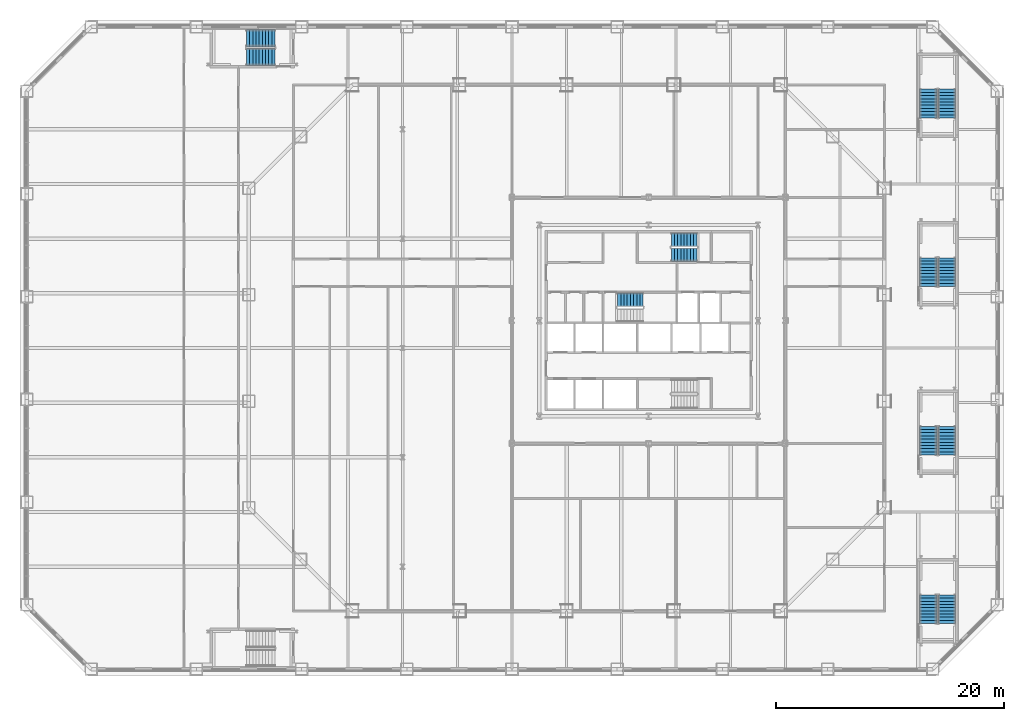
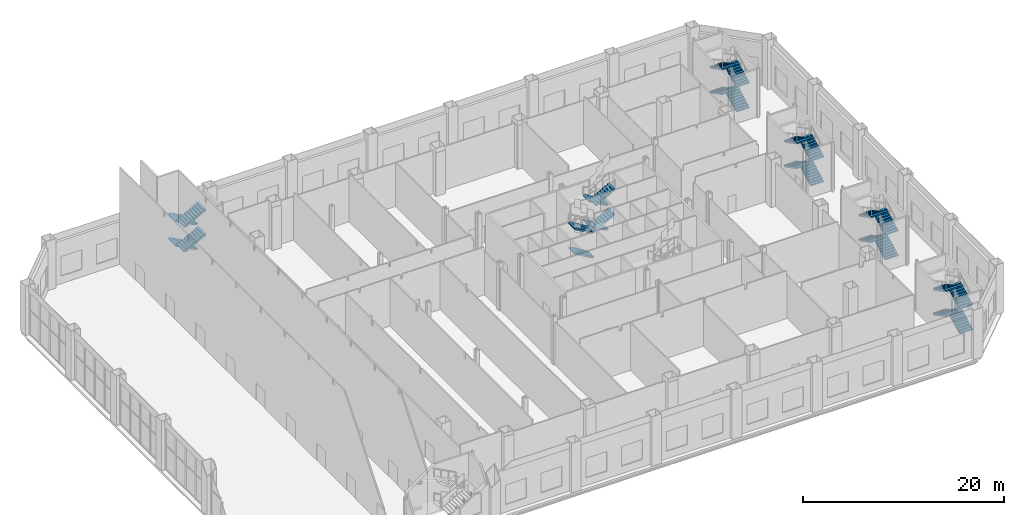
# One storey, part 24 of 31: 26 stair flights, 7 elements without a shape of their own.
"""IFC4 building model written with IfcOpenShell, lengths in metres."""

from ifc_helpers import new_model, si_unit, direction, frame, origin, place, context, subcontext, project, spatial, polyline, outline, extrude, material, type_object, element, aggregate, save


model = new_model("IFC4")

# Units and contexts
model_context = context("Model", 3, precision=1e-05, world=origin(), true_north=direction((0.0, 1.0)))
body_context = subcontext(model_context, "Body", "Model", "MODEL_VIEW")
ifc_project = project(units=[si_unit("LENGTHUNIT", "METRE"), si_unit("AREAUNIT", "SQUARE_METRE"), si_unit("VOLUMEUNIT", "CUBIC_METRE"), si_unit("PLANEANGLEUNIT", "RADIAN"), si_unit("MASSUNIT", "GRAM", prefix="KILO")], contexts=[model_context])

# Site, building, storey
site_placement = place(None, origin())
site = spatial("IfcSite", under=ifc_project, at=site_placement, CompositionType="ELEMENT")
building_placement = place(site_placement, origin())
building = spatial("IfcBuilding", under=site, at=building_placement, Name="Cairn Pilgrim Tower", CompositionType="ELEMENT")
storey_placement = place(building_placement, frame((0.0, 0.0, 9.0)))
storey = spatial("IfcBuildingStorey", under=building, at=storey_placement, Name="L01", CompositionType="ELEMENT", Elevation=9.0)

# Stair, stair flights
ifc_material_1 = material(Name="Concrete C35/45", Category="concrete")
stair_type_1 = type_object("IfcStairType", Name="PODIUM EXIT STAIR 1500", PredefinedType="HALF_TURN_STAIR", material=ifc_material_1)
stair_1_placement = place(storey_placement, origin())
stair_1 = element("IfcStair", 1, at=stair_1_placement, inside=storey, type_object=stair_type_1, Name="L01 Exit Stair Hn", PredefinedType="HALF_TURN_STAIR")
stair_flight_type_1 = type_object("IfcStairFlightType", Name="PODIUM STAIR FLIGHT 1500", PredefinedType="STRAIGHT", material=ifc_material_1)
stair_flight_1_placement = place(storey_placement, frame((-25.60009765625, 27.199951171875, 0.0), z_axis=(0.0, 0.0, 1.0), x_axis=(-1.0, 0.0, 0.0)))
stair_flight_1 = element("IfcStairFlight", 2, at=stair_flight_1_placement, type_object=stair_flight_type_1, Name="ST-HN flight 1", NumberOfRisers=10, NumberOfTreads=9, PredefinedType="STRAIGHT", RiserHeight=0.15, TreadLength=0.28, context=body_context, shape_type="SweptSolid", body=[
    extrude(outline(polyline([(0.0, 0.0), (0.0, 0.14990234375), (0.280029296875, 0.14990234375), (0.280029296875, 0.300048828125), (0.56005859375, 0.300048828125), (0.56005859375, 0.449951171875), (0.840087890625, 0.449951171875), (0.840087890625, 0.60009765625), (1.1201171875, 0.60009765625), (1.1201171875, 0.75), (1.39990234375, 0.75), (1.39990234375, 0.89990234375), (1.679931640625, 0.89990234375), (1.679931640625, 1.050048828125), (1.9599609375, 1.050048828125), (1.9599609375, 1.199951171875), (2.239990234375, 1.199951171875), (2.239990234375, 1.35009765625), (2.52001953125, 1.35009765625), (2.52001953125, 1.5), (2.52001953125, 1.179931640625), (0.3173828125, 0.0), (0.0, 0.0)])), frame((0.0, 0.75, 0.0), z_axis=(0.0, -1.0, 0.0), x_axis=(1.0, 0.0, 0.0)), (0.0, 0.0, 1.0), 1.5),
])
stair_flight_2_placement = place(storey_placement, frame((-28.1201171875, 25.550048828125, 1.5), z_axis=(0.0, 0.0, 1.0), x_axis=(1.0, 0.0, 0.0)))
stair_flight_2 = element("IfcStairFlight", 3, at=stair_flight_2_placement, type_object=stair_flight_type_1, Name="ST-HN flight 2", NumberOfRisers=10, NumberOfTreads=9, PredefinedType="STRAIGHT", RiserHeight=0.15, TreadLength=0.28, context=body_context, shape_type="SweptSolid", body=[
    extrude(outline(polyline([(0.0, 0.0), (0.0, 0.14990234375), (0.280029296875, 0.14990234375), (0.280029296875, 0.300048828125), (0.56005859375, 0.300048828125), (0.56005859375, 0.449951171875), (0.840087890625, 0.449951171875), (0.840087890625, 0.60009765625), (1.1201171875, 0.60009765625), (1.1201171875, 0.75), (1.39990234375, 0.75), (1.39990234375, 0.89990234375), (1.679931640625, 0.89990234375), (1.679931640625, 1.050048828125), (1.9599609375, 1.050048828125), (1.9599609375, 1.199951171875), (2.239990234375, 1.199951171875), (2.239990234375, 1.35009765625), (2.52001953125, 1.35009765625), (2.52001953125, 1.5), (2.52001953125, 1.179931640625), (0.3173828125, 0.0), (0.0, 0.0)])), frame((0.0, 0.75, 0.0), z_axis=(0.0, -1.0, 0.0), x_axis=(1.0, 0.0, 0.0)), (0.0, 0.0, 1.0), 1.5),
])
stair_flight_3_placement = place(storey_placement, frame((-25.60009765625, 27.199951171875, 3.0), z_axis=(0.0, 0.0, 1.0), x_axis=(-1.0, 0.0, 0.0)))
stair_flight_3 = element("IfcStairFlight", 4, at=stair_flight_3_placement, type_object=stair_flight_type_1, Name="ST-HN flight 3", NumberOfRisers=10, NumberOfTreads=9, PredefinedType="STRAIGHT", RiserHeight=0.15, TreadLength=0.28, context=body_context, shape_type="SweptSolid", body=[
    extrude(outline(polyline([(0.0, 0.0), (0.0, 0.14990234375), (0.280029296875, 0.14990234375), (0.280029296875, 0.300048828125), (0.56005859375, 0.300048828125), (0.56005859375, 0.449951171875), (0.840087890625, 0.449951171875), (0.840087890625, 0.60009765625), (1.1201171875, 0.60009765625), (1.1201171875, 0.75), (1.39990234375, 0.75), (1.39990234375, 0.89990234375), (1.679931640625, 0.89990234375), (1.679931640625, 1.050048828125), (1.9599609375, 1.050048828125), (1.9599609375, 1.199951171875), (2.239990234375, 1.199951171875), (2.239990234375, 1.35009765625), (2.52001953125, 1.35009765625), (2.52001953125, 1.5), (2.52001953125, 1.179931640625), (0.3173828125, 0.0), (0.0, 0.0)])), frame((0.0, 0.75, 0.0), z_axis=(0.0, -1.0, 0.0), x_axis=(1.0, 0.0, 0.0)), (0.0, 0.0, 1.0), 1.5),
])
stair_flight_4_placement = place(storey_placement, frame((-28.1201171875, 25.550048828125, 4.5), z_axis=(0.0, 0.0, 1.0), x_axis=(1.0, 0.0, 0.0)))
stair_flight_4 = element("IfcStairFlight", 5, at=stair_flight_4_placement, type_object=stair_flight_type_1, Name="ST-HN flight 4", NumberOfRisers=10, NumberOfTreads=9, PredefinedType="STRAIGHT", RiserHeight=0.15, TreadLength=0.28, context=body_context, shape_type="SweptSolid", body=[
    extrude(outline(polyline([(0.0, 0.0), (0.0, 0.14990234375), (0.280029296875, 0.14990234375), (0.280029296875, 0.300048828125), (0.56005859375, 0.300048828125), (0.56005859375, 0.449951171875), (0.840087890625, 0.449951171875), (0.840087890625, 0.60009765625), (1.1201171875, 0.60009765625), (1.1201171875, 0.75), (1.39990234375, 0.75), (1.39990234375, 0.89990234375), (1.679931640625, 0.89990234375), (1.679931640625, 1.050048828125), (1.9599609375, 1.050048828125), (1.9599609375, 1.199951171875), (2.239990234375, 1.199951171875), (2.239990234375, 1.35009765625), (2.52001953125, 1.35009765625), (2.52001953125, 1.5), (2.52001953125, 1.179931640625), (0.3173828125, 0.0), (0.0, 0.0)])), frame((0.0, 0.75, 0.0), z_axis=(0.0, -1.0, 0.0), x_axis=(1.0, 0.0, 0.0)), (0.0, 0.0, 1.0), 1.5),
])
aggregate(stair_1, [stair_flight_1, stair_flight_2, stair_flight_3, stair_flight_4])

stair_2_placement = place(storey_placement, origin())
stair_2 = element("IfcStair", 6, at=stair_2_placement, inside=storey, type_object=stair_type_1, Name="L01 Exit Stair Es1", PredefinedType="HALF_TURN_STAIR")
stair_flight_5_placement = place(storey_placement, frame((33.39990234375, -24.199951171875, 0.0), z_axis=(0.0, 0.0, 1.0), x_axis=(0.0, 1.0, 0.0)))
stair_flight_5 = element("IfcStairFlight", 7, at=stair_flight_5_placement, type_object=stair_flight_type_1, Name="ST-ES1 flight 1", NumberOfRisers=10, NumberOfTreads=9, PredefinedType="STRAIGHT", RiserHeight=0.15, TreadLength=0.28, context=body_context, shape_type="SweptSolid", body=[
    extrude(outline(polyline([(0.0, 0.0), (0.0, 0.14990234375), (0.280029296875, 0.14990234375), (0.280029296875, 0.300048828125), (0.56005859375, 0.300048828125), (0.56005859375, 0.449951171875), (0.840087890625, 0.449951171875), (0.840087890625, 0.60009765625), (1.1201171875, 0.60009765625), (1.1201171875, 0.75), (1.39990234375, 0.75), (1.39990234375, 0.89990234375), (1.679931640625, 0.89990234375), (1.679931640625, 1.050048828125), (1.9599609375, 1.050048828125), (1.9599609375, 1.199951171875), (2.239990234375, 1.199951171875), (2.239990234375, 1.35009765625), (2.52001953125, 1.35009765625), (2.52001953125, 1.5), (2.52001953125, 1.179931640625), (0.3173828125, 0.0), (0.0, 0.0)])), frame((0.0, 0.75, 0.0), z_axis=(0.0, -1.0, 0.0), x_axis=(1.0, 0.0, 0.0)), (0.0, 0.0, 1.0), 1.5),
])
stair_flight_6_placement = place(storey_placement, frame((31.75, -21.679931640625, 1.5), z_axis=(0.0, 0.0, 1.0), x_axis=(0.0, -1.0, 0.0)))
stair_flight_6 = element("IfcStairFlight", 8, at=stair_flight_6_placement, type_object=stair_flight_type_1, Name="ST-ES1 flight 2", NumberOfRisers=10, NumberOfTreads=9, PredefinedType="STRAIGHT", RiserHeight=0.15, TreadLength=0.28, context=body_context, shape_type="SweptSolid", body=[
    extrude(outline(polyline([(0.0, 0.0), (0.0, 0.14990234375), (0.280029296875, 0.14990234375), (0.280029296875, 0.300048828125), (0.56005859375, 0.300048828125), (0.56005859375, 0.449951171875), (0.840087890625, 0.449951171875), (0.840087890625, 0.60009765625), (1.1201171875, 0.60009765625), (1.1201171875, 0.75), (1.39990234375, 0.75), (1.39990234375, 0.89990234375), (1.679931640625, 0.89990234375), (1.679931640625, 1.050048828125), (1.9599609375, 1.050048828125), (1.9599609375, 1.199951171875), (2.239990234375, 1.199951171875), (2.239990234375, 1.35009765625), (2.52001953125, 1.35009765625), (2.52001953125, 1.5), (2.52001953125, 1.179931640625), (0.3173828125, 0.0), (0.0, 0.0)])), frame((0.0, 0.75, 0.0), z_axis=(0.0, -1.0, 0.0), x_axis=(1.0, 0.0, 0.0)), (0.0, 0.0, 1.0), 1.5),
])
stair_flight_7_placement = place(storey_placement, frame((33.39990234375, -24.199951171875, 3.0), z_axis=(0.0, 0.0, 1.0), x_axis=(0.0, 1.0, 0.0)))
stair_flight_7 = element("IfcStairFlight", 9, at=stair_flight_7_placement, type_object=stair_flight_type_1, Name="ST-ES1 flight 3", NumberOfRisers=10, NumberOfTreads=9, PredefinedType="STRAIGHT", RiserHeight=0.15, TreadLength=0.28, context=body_context, shape_type="SweptSolid", body=[
    extrude(outline(polyline([(0.0, 0.0), (0.0, 0.14990234375), (0.280029296875, 0.14990234375), (0.280029296875, 0.300048828125), (0.56005859375, 0.300048828125), (0.56005859375, 0.449951171875), (0.840087890625, 0.449951171875), (0.840087890625, 0.60009765625), (1.1201171875, 0.60009765625), (1.1201171875, 0.75), (1.39990234375, 0.75), (1.39990234375, 0.89990234375), (1.679931640625, 0.89990234375), (1.679931640625, 1.050048828125), (1.9599609375, 1.050048828125), (1.9599609375, 1.199951171875), (2.239990234375, 1.199951171875), (2.239990234375, 1.35009765625), (2.52001953125, 1.35009765625), (2.52001953125, 1.5), (2.52001953125, 1.179931640625), (0.3173828125, 0.0), (0.0, 0.0)])), frame((0.0, 0.75, 0.0), z_axis=(0.0, -1.0, 0.0), x_axis=(1.0, 0.0, 0.0)), (0.0, 0.0, 1.0), 1.5),
])
stair_flight_8_placement = place(storey_placement, frame((31.75, -21.679931640625, 4.5), z_axis=(0.0, 0.0, 1.0), x_axis=(0.0, -1.0, 0.0)))
stair_flight_8 = element("IfcStairFlight", 10, at=stair_flight_8_placement, type_object=stair_flight_type_1, Name="ST-ES1 flight 4", NumberOfRisers=10, NumberOfTreads=9, PredefinedType="STRAIGHT", RiserHeight=0.15, TreadLength=0.28, context=body_context, shape_type="SweptSolid", body=[
    extrude(outline(polyline([(0.0, 0.0), (0.0, 0.14990234375), (0.280029296875, 0.14990234375), (0.280029296875, 0.300048828125), (0.56005859375, 0.300048828125), (0.56005859375, 0.449951171875), (0.840087890625, 0.449951171875), (0.840087890625, 0.60009765625), (1.1201171875, 0.60009765625), (1.1201171875, 0.75), (1.39990234375, 0.75), (1.39990234375, 0.89990234375), (1.679931640625, 0.89990234375), (1.679931640625, 1.050048828125), (1.9599609375, 1.050048828125), (1.9599609375, 1.199951171875), (2.239990234375, 1.199951171875), (2.239990234375, 1.35009765625), (2.52001953125, 1.35009765625), (2.52001953125, 1.5), (2.52001953125, 1.179931640625), (0.3173828125, 0.0), (0.0, 0.0)])), frame((0.0, 0.75, 0.0), z_axis=(0.0, -1.0, 0.0), x_axis=(1.0, 0.0, 0.0)), (0.0, 0.0, 1.0), 1.5),
])
aggregate(stair_2, [stair_flight_5, stair_flight_6, stair_flight_7, stair_flight_8])

stair_3_placement = place(storey_placement, origin())
stair_3 = element("IfcStair", 11, at=stair_3_placement, inside=storey, type_object=stair_type_1, Name="L01 Exit Stair Es2", PredefinedType="HALF_TURN_STAIR")
stair_flight_9_placement = place(storey_placement, frame((33.39990234375, -9.39990234375, 0.0), z_axis=(0.0, 0.0, 1.0), x_axis=(0.0, 1.0, 0.0)))
stair_flight_9 = element("IfcStairFlight", 12, at=stair_flight_9_placement, type_object=stair_flight_type_1, Name="ST-ES2 flight 1", NumberOfRisers=10, NumberOfTreads=9, PredefinedType="STRAIGHT", RiserHeight=0.15, TreadLength=0.28, context=body_context, shape_type="SweptSolid", body=[
    extrude(outline(polyline([(0.0, 0.0), (0.0, 0.14990234375), (0.280029296875, 0.14990234375), (0.280029296875, 0.300048828125), (0.56005859375, 0.300048828125), (0.56005859375, 0.449951171875), (0.840087890625, 0.449951171875), (0.840087890625, 0.60009765625), (1.1201171875, 0.60009765625), (1.1201171875, 0.75), (1.39990234375, 0.75), (1.39990234375, 0.89990234375), (1.679931640625, 0.89990234375), (1.679931640625, 1.050048828125), (1.9599609375, 1.050048828125), (1.9599609375, 1.199951171875), (2.239990234375, 1.199951171875), (2.239990234375, 1.35009765625), (2.52001953125, 1.35009765625), (2.52001953125, 1.5), (2.52001953125, 1.179931640625), (0.3173828125, 0.0), (0.0, 0.0)])), frame((0.0, 0.75, 0.0), z_axis=(0.0, -1.0, 0.0), x_axis=(1.0, 0.0, 0.0)), (0.0, 0.0, 1.0), 1.5),
])
stair_flight_10_placement = place(storey_placement, frame((31.75, -6.8798828125, 1.5), z_axis=(0.0, 0.0, 1.0), x_axis=(0.0, -1.0, 0.0)))
stair_flight_10 = element("IfcStairFlight", 13, at=stair_flight_10_placement, type_object=stair_flight_type_1, Name="ST-ES2 flight 2", NumberOfRisers=10, NumberOfTreads=9, PredefinedType="STRAIGHT", RiserHeight=0.15, TreadLength=0.28, context=body_context, shape_type="SweptSolid", body=[
    extrude(outline(polyline([(0.0, 0.0), (0.0, 0.14990234375), (0.280029296875, 0.14990234375), (0.280029296875, 0.300048828125), (0.56005859375, 0.300048828125), (0.56005859375, 0.449951171875), (0.840087890625, 0.449951171875), (0.840087890625, 0.60009765625), (1.1201171875, 0.60009765625), (1.1201171875, 0.75), (1.39990234375, 0.75), (1.39990234375, 0.89990234375), (1.679931640625, 0.89990234375), (1.679931640625, 1.050048828125), (1.9599609375, 1.050048828125), (1.9599609375, 1.199951171875), (2.239990234375, 1.199951171875), (2.239990234375, 1.35009765625), (2.52001953125, 1.35009765625), (2.52001953125, 1.5), (2.52001953125, 1.179931640625), (0.3173828125, 0.0), (0.0, 0.0)])), frame((0.0, 0.75, 0.0), z_axis=(0.0, -1.0, 0.0), x_axis=(1.0, 0.0, 0.0)), (0.0, 0.0, 1.0), 1.5),
])
stair_flight_11_placement = place(storey_placement, frame((33.39990234375, -9.39990234375, 3.0), z_axis=(0.0, 0.0, 1.0), x_axis=(0.0, 1.0, 0.0)))
stair_flight_11 = element("IfcStairFlight", 14, at=stair_flight_11_placement, type_object=stair_flight_type_1, Name="ST-ES2 flight 3", NumberOfRisers=10, NumberOfTreads=9, PredefinedType="STRAIGHT", RiserHeight=0.15, TreadLength=0.28, context=body_context, shape_type="SweptSolid", body=[
    extrude(outline(polyline([(0.0, 0.0), (0.0, 0.14990234375), (0.280029296875, 0.14990234375), (0.280029296875, 0.300048828125), (0.56005859375, 0.300048828125), (0.56005859375, 0.449951171875), (0.840087890625, 0.449951171875), (0.840087890625, 0.60009765625), (1.1201171875, 0.60009765625), (1.1201171875, 0.75), (1.39990234375, 0.75), (1.39990234375, 0.89990234375), (1.679931640625, 0.89990234375), (1.679931640625, 1.050048828125), (1.9599609375, 1.050048828125), (1.9599609375, 1.199951171875), (2.239990234375, 1.199951171875), (2.239990234375, 1.35009765625), (2.52001953125, 1.35009765625), (2.52001953125, 1.5), (2.52001953125, 1.179931640625), (0.3173828125, 0.0), (0.0, 0.0)])), frame((0.0, 0.75, 0.0), z_axis=(0.0, -1.0, 0.0), x_axis=(1.0, 0.0, 0.0)), (0.0, 0.0, 1.0), 1.5),
])
stair_flight_12_placement = place(storey_placement, frame((31.75, -6.8798828125, 4.5), z_axis=(0.0, 0.0, 1.0), x_axis=(0.0, -1.0, 0.0)))
stair_flight_12 = element("IfcStairFlight", 15, at=stair_flight_12_placement, type_object=stair_flight_type_1, Name="ST-ES2 flight 4", NumberOfRisers=10, NumberOfTreads=9, PredefinedType="STRAIGHT", RiserHeight=0.15, TreadLength=0.28, context=body_context, shape_type="SweptSolid", body=[
    extrude(outline(polyline([(0.0, 0.0), (0.0, 0.14990234375), (0.280029296875, 0.14990234375), (0.280029296875, 0.300048828125), (0.56005859375, 0.300048828125), (0.56005859375, 0.449951171875), (0.840087890625, 0.449951171875), (0.840087890625, 0.60009765625), (1.1201171875, 0.60009765625), (1.1201171875, 0.75), (1.39990234375, 0.75), (1.39990234375, 0.89990234375), (1.679931640625, 0.89990234375), (1.679931640625, 1.050048828125), (1.9599609375, 1.050048828125), (1.9599609375, 1.199951171875), (2.239990234375, 1.199951171875), (2.239990234375, 1.35009765625), (2.52001953125, 1.35009765625), (2.52001953125, 1.5), (2.52001953125, 1.179931640625), (0.3173828125, 0.0), (0.0, 0.0)])), frame((0.0, 0.75, 0.0), z_axis=(0.0, -1.0, 0.0), x_axis=(1.0, 0.0, 0.0)), (0.0, 0.0, 1.0), 1.5),
])
aggregate(stair_3, [stair_flight_9, stair_flight_10, stair_flight_11, stair_flight_12])

stair_4_placement = place(storey_placement, origin())
stair_4 = element("IfcStair", 16, at=stair_4_placement, inside=storey, type_object=stair_type_1, Name="L01 Exit Stair Es3", PredefinedType="HALF_TURN_STAIR")
stair_flight_13_placement = place(storey_placement, frame((33.39990234375, 5.39990234375, 0.0), z_axis=(0.0, 0.0, 1.0), x_axis=(0.0, 1.0, 0.0)))
stair_flight_13 = element("IfcStairFlight", 17, at=stair_flight_13_placement, type_object=stair_flight_type_1, Name="ST-ES3 flight 1", NumberOfRisers=10, NumberOfTreads=9, PredefinedType="STRAIGHT", RiserHeight=0.15, TreadLength=0.28, context=body_context, shape_type="SweptSolid", body=[
    extrude(outline(polyline([(0.0, 0.0), (0.0, 0.14990234375), (0.280029296875, 0.14990234375), (0.280029296875, 0.300048828125), (0.56005859375, 0.300048828125), (0.56005859375, 0.449951171875), (0.840087890625, 0.449951171875), (0.840087890625, 0.60009765625), (1.1201171875, 0.60009765625), (1.1201171875, 0.75), (1.39990234375, 0.75), (1.39990234375, 0.89990234375), (1.679931640625, 0.89990234375), (1.679931640625, 1.050048828125), (1.9599609375, 1.050048828125), (1.9599609375, 1.199951171875), (2.239990234375, 1.199951171875), (2.239990234375, 1.35009765625), (2.52001953125, 1.35009765625), (2.52001953125, 1.5), (2.52001953125, 1.179931640625), (0.3173828125, 0.0), (0.0, 0.0)])), frame((0.0, 0.75, 0.0), z_axis=(0.0, -1.0, 0.0), x_axis=(1.0, 0.0, 0.0)), (0.0, 0.0, 1.0), 1.5),
])
stair_flight_14_placement = place(storey_placement, frame((31.75, 7.919921875, 1.5), z_axis=(0.0, 0.0, 1.0), x_axis=(0.0, -1.0, 0.0)))
stair_flight_14 = element("IfcStairFlight", 18, at=stair_flight_14_placement, type_object=stair_flight_type_1, Name="ST-ES3 flight 2", NumberOfRisers=10, NumberOfTreads=9, PredefinedType="STRAIGHT", RiserHeight=0.15, TreadLength=0.28, context=body_context, shape_type="SweptSolid", body=[
    extrude(outline(polyline([(0.0, 0.0), (0.0, 0.14990234375), (0.280029296875, 0.14990234375), (0.280029296875, 0.300048828125), (0.56005859375, 0.300048828125), (0.56005859375, 0.449951171875), (0.840087890625, 0.449951171875), (0.840087890625, 0.60009765625), (1.1201171875, 0.60009765625), (1.1201171875, 0.75), (1.39990234375, 0.75), (1.39990234375, 0.89990234375), (1.679931640625, 0.89990234375), (1.679931640625, 1.050048828125), (1.9599609375, 1.050048828125), (1.9599609375, 1.199951171875), (2.239990234375, 1.199951171875), (2.239990234375, 1.35009765625), (2.52001953125, 1.35009765625), (2.52001953125, 1.5), (2.52001953125, 1.179931640625), (0.3173828125, 0.0), (0.0, 0.0)])), frame((0.0, 0.75, 0.0), z_axis=(0.0, -1.0, 0.0), x_axis=(1.0, 0.0, 0.0)), (0.0, 0.0, 1.0), 1.5),
])
stair_flight_15_placement = place(storey_placement, frame((33.39990234375, 5.39990234375, 3.0), z_axis=(0.0, 0.0, 1.0), x_axis=(0.0, 1.0, 0.0)))
stair_flight_15 = element("IfcStairFlight", 19, at=stair_flight_15_placement, type_object=stair_flight_type_1, Name="ST-ES3 flight 3", NumberOfRisers=10, NumberOfTreads=9, PredefinedType="STRAIGHT", RiserHeight=0.15, TreadLength=0.28, context=body_context, shape_type="SweptSolid", body=[
    extrude(outline(polyline([(0.0, 0.0), (0.0, 0.14990234375), (0.280029296875, 0.14990234375), (0.280029296875, 0.300048828125), (0.56005859375, 0.300048828125), (0.56005859375, 0.449951171875), (0.840087890625, 0.449951171875), (0.840087890625, 0.60009765625), (1.1201171875, 0.60009765625), (1.1201171875, 0.75), (1.39990234375, 0.75), (1.39990234375, 0.89990234375), (1.679931640625, 0.89990234375), (1.679931640625, 1.050048828125), (1.9599609375, 1.050048828125), (1.9599609375, 1.199951171875), (2.239990234375, 1.199951171875), (2.239990234375, 1.35009765625), (2.52001953125, 1.35009765625), (2.52001953125, 1.5), (2.52001953125, 1.179931640625), (0.3173828125, 0.0), (0.0, 0.0)])), frame((0.0, 0.75, 0.0), z_axis=(0.0, -1.0, 0.0), x_axis=(1.0, 0.0, 0.0)), (0.0, 0.0, 1.0), 1.5),
])
stair_flight_16_placement = place(storey_placement, frame((31.75, 7.919921875, 4.5), z_axis=(0.0, 0.0, 1.0), x_axis=(0.0, -1.0, 0.0)))
stair_flight_16 = element("IfcStairFlight", 20, at=stair_flight_16_placement, type_object=stair_flight_type_1, Name="ST-ES3 flight 4", NumberOfRisers=10, NumberOfTreads=9, PredefinedType="STRAIGHT", RiserHeight=0.15, TreadLength=0.28, context=body_context, shape_type="SweptSolid", body=[
    extrude(outline(polyline([(0.0, 0.0), (0.0, 0.14990234375), (0.280029296875, 0.14990234375), (0.280029296875, 0.300048828125), (0.56005859375, 0.300048828125), (0.56005859375, 0.449951171875), (0.840087890625, 0.449951171875), (0.840087890625, 0.60009765625), (1.1201171875, 0.60009765625), (1.1201171875, 0.75), (1.39990234375, 0.75), (1.39990234375, 0.89990234375), (1.679931640625, 0.89990234375), (1.679931640625, 1.050048828125), (1.9599609375, 1.050048828125), (1.9599609375, 1.199951171875), (2.239990234375, 1.199951171875), (2.239990234375, 1.35009765625), (2.52001953125, 1.35009765625), (2.52001953125, 1.5), (2.52001953125, 1.179931640625), (0.3173828125, 0.0), (0.0, 0.0)])), frame((0.0, 0.75, 0.0), z_axis=(0.0, -1.0, 0.0), x_axis=(1.0, 0.0, 0.0)), (0.0, 0.0, 1.0), 1.5),
])
aggregate(stair_4, [stair_flight_13, stair_flight_14, stair_flight_15, stair_flight_16])

stair_5_placement = place(storey_placement, origin())
stair_5 = element("IfcStair", 21, at=stair_5_placement, inside=storey, type_object=stair_type_1, Name="L01 Exit Stair Es4", PredefinedType="HALF_TURN_STAIR")
stair_flight_17_placement = place(storey_placement, frame((33.39990234375, 20.199951171875, 0.0), z_axis=(0.0, 0.0, 1.0), x_axis=(0.0, 1.0, 0.0)))
stair_flight_17 = element("IfcStairFlight", 22, at=stair_flight_17_placement, type_object=stair_flight_type_1, Name="ST-ES4 flight 1", NumberOfRisers=10, NumberOfTreads=9, PredefinedType="STRAIGHT", RiserHeight=0.15, TreadLength=0.28, context=body_context, shape_type="SweptSolid", body=[
    extrude(outline(polyline([(0.0, 0.0), (0.0, 0.14990234375), (0.280029296875, 0.14990234375), (0.280029296875, 0.300048828125), (0.56005859375, 0.300048828125), (0.56005859375, 0.449951171875), (0.840087890625, 0.449951171875), (0.840087890625, 0.60009765625), (1.1201171875, 0.60009765625), (1.1201171875, 0.75), (1.39990234375, 0.75), (1.39990234375, 0.89990234375), (1.679931640625, 0.89990234375), (1.679931640625, 1.050048828125), (1.9599609375, 1.050048828125), (1.9599609375, 1.199951171875), (2.239990234375, 1.199951171875), (2.239990234375, 1.35009765625), (2.52001953125, 1.35009765625), (2.52001953125, 1.5), (2.52001953125, 1.179931640625), (0.3173828125, 0.0), (0.0, 0.0)])), frame((0.0, 0.75, 0.0), z_axis=(0.0, -1.0, 0.0), x_axis=(1.0, 0.0, 0.0)), (0.0, 0.0, 1.0), 1.5),
])
stair_flight_18_placement = place(storey_placement, frame((31.75, 22.719970703125, 1.5), z_axis=(0.0, 0.0, 1.0), x_axis=(0.0, -1.0, 0.0)))
stair_flight_18 = element("IfcStairFlight", 23, at=stair_flight_18_placement, type_object=stair_flight_type_1, Name="ST-ES4 flight 2", NumberOfRisers=10, NumberOfTreads=9, PredefinedType="STRAIGHT", RiserHeight=0.15, TreadLength=0.28, context=body_context, shape_type="SweptSolid", body=[
    extrude(outline(polyline([(0.0, 0.0), (0.0, 0.14990234375), (0.280029296875, 0.14990234375), (0.280029296875, 0.300048828125), (0.56005859375, 0.300048828125), (0.56005859375, 0.449951171875), (0.840087890625, 0.449951171875), (0.840087890625, 0.60009765625), (1.1201171875, 0.60009765625), (1.1201171875, 0.75), (1.39990234375, 0.75), (1.39990234375, 0.89990234375), (1.679931640625, 0.89990234375), (1.679931640625, 1.050048828125), (1.9599609375, 1.050048828125), (1.9599609375, 1.199951171875), (2.239990234375, 1.199951171875), (2.239990234375, 1.35009765625), (2.52001953125, 1.35009765625), (2.52001953125, 1.5), (2.52001953125, 1.179931640625), (0.3173828125, 0.0), (0.0, 0.0)])), frame((0.0, 0.75, 0.0), z_axis=(0.0, -1.0, 0.0), x_axis=(1.0, 0.0, 0.0)), (0.0, 0.0, 1.0), 1.5),
])
stair_flight_19_placement = place(storey_placement, frame((33.39990234375, 20.199951171875, 3.0), z_axis=(0.0, 0.0, 1.0), x_axis=(0.0, 1.0, 0.0)))
stair_flight_19 = element("IfcStairFlight", 24, at=stair_flight_19_placement, type_object=stair_flight_type_1, Name="ST-ES4 flight 3", NumberOfRisers=10, NumberOfTreads=9, PredefinedType="STRAIGHT", RiserHeight=0.15, TreadLength=0.28, context=body_context, shape_type="SweptSolid", body=[
    extrude(outline(polyline([(0.0, 0.0), (0.0, 0.14990234375), (0.280029296875, 0.14990234375), (0.280029296875, 0.300048828125), (0.56005859375, 0.300048828125), (0.56005859375, 0.449951171875), (0.840087890625, 0.449951171875), (0.840087890625, 0.60009765625), (1.1201171875, 0.60009765625), (1.1201171875, 0.75), (1.39990234375, 0.75), (1.39990234375, 0.89990234375), (1.679931640625, 0.89990234375), (1.679931640625, 1.050048828125), (1.9599609375, 1.050048828125), (1.9599609375, 1.199951171875), (2.239990234375, 1.199951171875), (2.239990234375, 1.35009765625), (2.52001953125, 1.35009765625), (2.52001953125, 1.5), (2.52001953125, 1.179931640625), (0.3173828125, 0.0), (0.0, 0.0)])), frame((0.0, 0.75, 0.0), z_axis=(0.0, -1.0, 0.0), x_axis=(1.0, 0.0, 0.0)), (0.0, 0.0, 1.0), 1.5),
])
stair_flight_20_placement = place(storey_placement, frame((31.75, 22.719970703125, 4.5), z_axis=(0.0, 0.0, 1.0), x_axis=(0.0, -1.0, 0.0)))
stair_flight_20 = element("IfcStairFlight", 25, at=stair_flight_20_placement, type_object=stair_flight_type_1, Name="ST-ES4 flight 4", NumberOfRisers=10, NumberOfTreads=9, PredefinedType="STRAIGHT", RiserHeight=0.15, TreadLength=0.28, context=body_context, shape_type="SweptSolid", body=[
    extrude(outline(polyline([(0.0, 0.0), (0.0, 0.14990234375), (0.280029296875, 0.14990234375), (0.280029296875, 0.300048828125), (0.56005859375, 0.300048828125), (0.56005859375, 0.449951171875), (0.840087890625, 0.449951171875), (0.840087890625, 0.60009765625), (1.1201171875, 0.60009765625), (1.1201171875, 0.75), (1.39990234375, 0.75), (1.39990234375, 0.89990234375), (1.679931640625, 0.89990234375), (1.679931640625, 1.050048828125), (1.9599609375, 1.050048828125), (1.9599609375, 1.199951171875), (2.239990234375, 1.199951171875), (2.239990234375, 1.35009765625), (2.52001953125, 1.35009765625), (2.52001953125, 1.5), (2.52001953125, 1.179931640625), (0.3173828125, 0.0), (0.0, 0.0)])), frame((0.0, 0.75, 0.0), z_axis=(0.0, -1.0, 0.0), x_axis=(1.0, 0.0, 0.0)), (0.0, 0.0, 1.0), 1.5),
])
aggregate(stair_5, [stair_flight_17, stair_flight_18, stair_flight_19, stair_flight_20])

ifc_material_2 = material(Name="Concrete C32/40", Category="concrete")
stair_type_2 = type_object("IfcStairType", Name="EXIT STAIR 1200", PredefinedType="HALF_TURN_STAIR", material=ifc_material_2)
stair_6_placement = place(storey_placement, origin())
stair_6 = element("IfcStair", 26, at=stair_6_placement, inside=storey, type_object=stair_type_2, Name="L01 Exit Stair B", PredefinedType="HALF_TURN_STAIR")
stair_flight_type_2 = type_object("IfcStairFlightType", Name="STAIR FLIGHT 1200", PredefinedType="STRAIGHT", material=ifc_material_2)
stair_flight_21_placement = place(storey_placement, frame((6.715087890625, 4.22509765625, 1.5), z_axis=(0.0, 0.0, 1.0), x_axis=(-1.0, 0.0, 0.0)))
stair_flight_21 = element("IfcStairFlight", 27, at=stair_flight_21_placement, type_object=stair_flight_type_2, Name="ST-B flight 2", NumberOfRisers=9, NumberOfTreads=8, PredefinedType="STRAIGHT", RiserHeight=0.166666667, TreadLength=0.28, context=body_context, shape_type="SweptSolid", body=[
    extrude(outline(polyline([(0.0, 0.0), (0.0, 0.166748046875), (0.280029296875, 0.166748046875), (0.280029296875, 0.333251953125), (0.56005859375, 0.333251953125), (0.56005859375, 0.5), (0.840087890625, 0.5), (0.840087890625, 0.666748046875), (1.1201171875, 0.666748046875), (1.1201171875, 0.833251953125), (1.39990234375, 0.833251953125), (1.39990234375, 1.0), (1.679931640625, 1.0), (1.679931640625, 1.166748046875), (1.9599609375, 1.166748046875), (1.9599609375, 1.333251953125), (2.239990234375, 1.333251953125), (2.239990234375, 1.5), (2.239990234375, 1.158935546875), (0.29296875, 0.0), (0.0, 0.0)])), frame((0.0, 0.60009765625, 0.0), z_axis=(0.0, -1.0, 0.0), x_axis=(1.0, 0.0, 0.0)), (0.0, 0.0, 1.0), 1.199951171875),
])
stair_flight_22_placement = place(storey_placement, frame((6.715087890625, 4.22509765625, 4.5), z_axis=(0.0, 0.0, 1.0), x_axis=(-1.0, 0.0, 0.0)))
stair_flight_22 = element("IfcStairFlight", 28, at=stair_flight_22_placement, type_object=stair_flight_type_2, Name="ST-B flight 4", NumberOfRisers=9, NumberOfTreads=8, PredefinedType="STRAIGHT", RiserHeight=0.166666667, TreadLength=0.28, context=body_context, shape_type="SweptSolid", body=[
    extrude(outline(polyline([(0.0, 0.0), (0.0, 0.166748046875), (0.280029296875, 0.166748046875), (0.280029296875, 0.333251953125), (0.56005859375, 0.333251953125), (0.56005859375, 0.5), (0.840087890625, 0.5), (0.840087890625, 0.666748046875), (1.1201171875, 0.666748046875), (1.1201171875, 0.833251953125), (1.39990234375, 0.833251953125), (1.39990234375, 1.0), (1.679931640625, 1.0), (1.679931640625, 1.166748046875), (1.9599609375, 1.166748046875), (1.9599609375, 1.333251953125), (2.239990234375, 1.333251953125), (2.239990234375, 1.5), (2.239990234375, 1.158935546875), (0.29296875, 0.0), (0.0, 0.0)])), frame((0.0, 0.60009765625, 0.0), z_axis=(0.0, -1.0, 0.0), x_axis=(1.0, 0.0, 0.0)), (0.0, 0.0, 1.0), 1.199951171875),
])
aggregate(stair_6, [stair_flight_21, stair_flight_22])

stair_7_placement = place(storey_placement, origin())
stair_7 = element("IfcStair", 29, at=stair_7_placement, inside=storey, type_object=stair_type_2, Name="L01 Exit Stair C", PredefinedType="HALF_TURN_STAIR")
stair_flight_23_placement = place(storey_placement, frame((11.425048828125, 9.5, 0.0), z_axis=(0.0, 0.0, 1.0), x_axis=(-1.0, 0.0, 0.0)))
stair_flight_23 = element("IfcStairFlight", 30, at=stair_flight_23_placement, type_object=stair_flight_type_2, Name="ST-C flight 1", NumberOfRisers=9, NumberOfTreads=8, PredefinedType="STRAIGHT", RiserHeight=0.166666667, TreadLength=0.28, context=body_context, shape_type="SweptSolid", body=[
    extrude(outline(polyline([(0.0, 0.0), (0.0, 0.166748046875), (0.280029296875, 0.166748046875), (0.280029296875, 0.333251953125), (0.56005859375, 0.333251953125), (0.56005859375, 0.5), (0.840087890625, 0.5), (0.840087890625, 0.666748046875), (1.1201171875, 0.666748046875), (1.1201171875, 0.833251953125), (1.39990234375, 0.833251953125), (1.39990234375, 1.0), (1.679931640625, 1.0), (1.679931640625, 1.166748046875), (1.9599609375, 1.166748046875), (1.9599609375, 1.333251953125), (2.239990234375, 1.333251953125), (2.239990234375, 1.5), (2.239990234375, 1.158935546875), (0.29296875, 0.0), (0.0, 0.0)])), frame((0.0, 0.60009765625, 0.0), z_axis=(0.0, -1.0, 0.0), x_axis=(1.0, 0.0, 0.0)), (0.0, 0.0, 1.0), 1.199951171875),
])
stair_flight_24_placement = place(storey_placement, frame((9.18505859375, 8.175048828125, 1.5), z_axis=(0.0, 0.0, 1.0), x_axis=(1.0, 0.0, 0.0)))
stair_flight_24 = element("IfcStairFlight", 31, at=stair_flight_24_placement, type_object=stair_flight_type_2, Name="ST-C flight 2", NumberOfRisers=9, NumberOfTreads=8, PredefinedType="STRAIGHT", RiserHeight=0.166666667, TreadLength=0.28, context=body_context, shape_type="SweptSolid", body=[
    extrude(outline(polyline([(0.0, 0.0), (0.0, 0.166748046875), (0.280029296875, 0.166748046875), (0.280029296875, 0.333251953125), (0.56005859375, 0.333251953125), (0.56005859375, 0.5), (0.840087890625, 0.5), (0.840087890625, 0.666748046875), (1.1201171875, 0.666748046875), (1.1201171875, 0.833251953125), (1.39990234375, 0.833251953125), (1.39990234375, 1.0), (1.679931640625, 1.0), (1.679931640625, 1.166748046875), (1.9599609375, 1.166748046875), (1.9599609375, 1.333251953125), (2.239990234375, 1.333251953125), (2.239990234375, 1.5), (2.239990234375, 1.158935546875), (0.29296875, 0.0), (0.0, 0.0)])), frame((0.0, 0.60009765625, 0.0), z_axis=(0.0, -1.0, 0.0), x_axis=(1.0, 0.0, 0.0)), (0.0, 0.0, 1.0), 1.199951171875),
])
stair_flight_25_placement = place(storey_placement, frame((11.425048828125, 9.5, 3.0), z_axis=(0.0, 0.0, 1.0), x_axis=(-1.0, 0.0, 0.0)))
stair_flight_25 = element("IfcStairFlight", 32, at=stair_flight_25_placement, type_object=stair_flight_type_2, Name="ST-C flight 3", NumberOfRisers=9, NumberOfTreads=8, PredefinedType="STRAIGHT", RiserHeight=0.166666667, TreadLength=0.28, context=body_context, shape_type="SweptSolid", body=[
    extrude(outline(polyline([(0.0, 0.0), (0.0, 0.166748046875), (0.280029296875, 0.166748046875), (0.280029296875, 0.333251953125), (0.56005859375, 0.333251953125), (0.56005859375, 0.5), (0.840087890625, 0.5), (0.840087890625, 0.666748046875), (1.1201171875, 0.666748046875), (1.1201171875, 0.833251953125), (1.39990234375, 0.833251953125), (1.39990234375, 1.0), (1.679931640625, 1.0), (1.679931640625, 1.166748046875), (1.9599609375, 1.166748046875), (1.9599609375, 1.333251953125), (2.239990234375, 1.333251953125), (2.239990234375, 1.5), (2.239990234375, 1.158935546875), (0.29296875, 0.0), (0.0, 0.0)])), frame((0.0, 0.60009765625, 0.0), z_axis=(0.0, -1.0, 0.0), x_axis=(1.0, 0.0, 0.0)), (0.0, 0.0, 1.0), 1.199951171875),
])
stair_flight_26_placement = place(storey_placement, frame((9.18505859375, 8.175048828125, 4.5), z_axis=(0.0, 0.0, 1.0), x_axis=(1.0, 0.0, 0.0)))
stair_flight_26 = element("IfcStairFlight", 33, at=stair_flight_26_placement, type_object=stair_flight_type_2, Name="ST-C flight 4", NumberOfRisers=9, NumberOfTreads=8, PredefinedType="STRAIGHT", RiserHeight=0.166666667, TreadLength=0.28, context=body_context, shape_type="SweptSolid", body=[
    extrude(outline(polyline([(0.0, 0.0), (0.0, 0.166748046875), (0.280029296875, 0.166748046875), (0.280029296875, 0.333251953125), (0.56005859375, 0.333251953125), (0.56005859375, 0.5), (0.840087890625, 0.5), (0.840087890625, 0.666748046875), (1.1201171875, 0.666748046875), (1.1201171875, 0.833251953125), (1.39990234375, 0.833251953125), (1.39990234375, 1.0), (1.679931640625, 1.0), (1.679931640625, 1.166748046875), (1.9599609375, 1.166748046875), (1.9599609375, 1.333251953125), (2.239990234375, 1.333251953125), (2.239990234375, 1.5), (2.239990234375, 1.158935546875), (0.29296875, 0.0), (0.0, 0.0)])), frame((0.0, 0.60009765625, 0.0), z_axis=(0.0, -1.0, 0.0), x_axis=(1.0, 0.0, 0.0)), (0.0, 0.0, 1.0), 1.199951171875),
])
aggregate(stair_7, [stair_flight_23, stair_flight_24, stair_flight_25, stair_flight_26])

save(model, "model.ifc")
